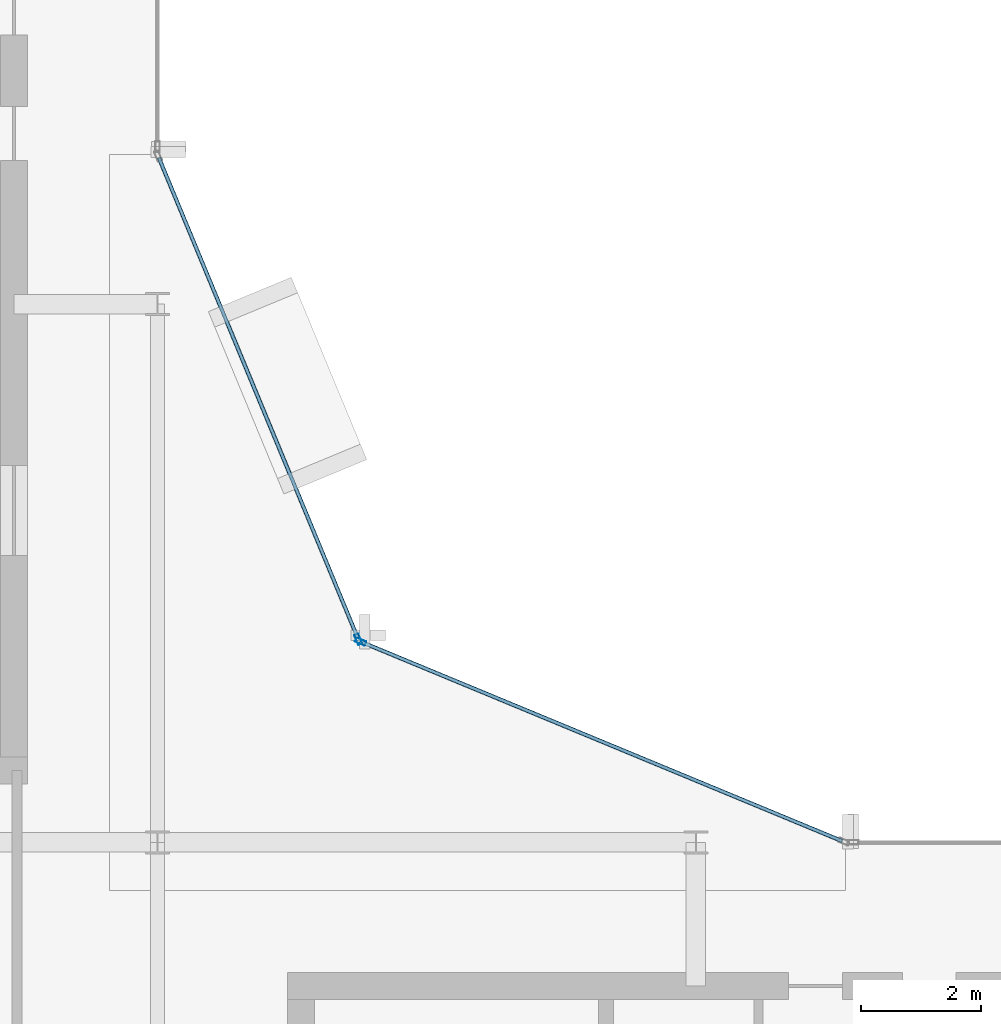
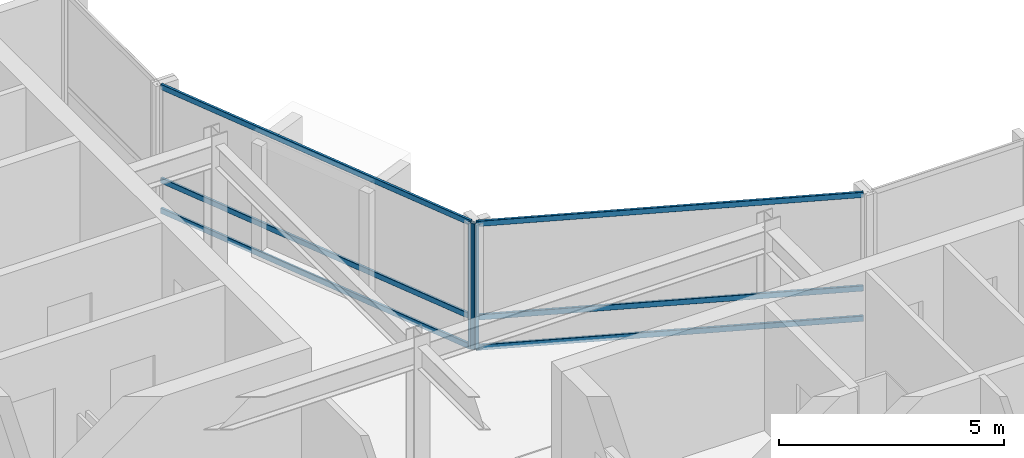
# One storey, part 8 of 19: 8 members, 2 elements without a shape of their own.
"""IFC4 building model written with IfcOpenShell, lengths in metres."""

from ifc_helpers import new_model, si_unit, direction, frame, origin, origin_2d, place, context, subcontext, project, spatial, hollow_rectangle, extrude, material, layer, layer_set, material_profile, profile_set, type_object, element, aggregate, save


model = new_model("IFC4")

# Units and contexts
model_context = context("Model", 3, precision=1e-05, world=origin(), true_north=direction((0.0, 1.0)))
body_context = subcontext(model_context, "Body", "Model", "MODEL_VIEW")
ifc_project = project(units=[si_unit("LENGTHUNIT", "METRE"), si_unit("AREAUNIT", "SQUARE_METRE"), si_unit("VOLUMEUNIT", "CUBIC_METRE"), si_unit("PLANEANGLEUNIT", "RADIAN"), si_unit("MASSUNIT", "GRAM", prefix="KILO")], contexts=[model_context])

# Site, building, storey
site_placement = place(None, origin())
site = spatial("IfcSite", under=ifc_project, at=site_placement, CompositionType="ELEMENT")
building_placement = place(site_placement, origin())
building = spatial("IfcBuilding", under=site, at=building_placement, Name="Solvaryn Broadcast Tower", CompositionType="ELEMENT")
storey_placement = place(building_placement, frame((0.0, 0.0, 248.199951171875)))
storey = spatial("IfcBuildingStorey", under=building, at=storey_placement, Name="L62", CompositionType="ELEMENT", Elevation=248.199951171875)

# Curtain wall, member
ifc_material_1 = material(Name="Aluminium and Terracotta Unitised Curtain Wall", Category="masonry")
ifc_layer = layer(ifc_material_1, 0.199951171875)
ifc_layer_set = layer_set([ifc_layer], Name="CW-SYS2-LOWMID")
curtain_wall_type = type_object("IfcCurtainWallType", Name="CW-SYS2-LOWMID", PredefinedType="NOTDEFINED", material=ifc_layer_set)
curtain_wall_1_placement = place(storey_placement, origin())
curtain_wall_1 = element("IfcCurtainWall", 1, at=curtain_wall_1_placement, inside=storey, type_object=curtain_wall_type, Name="L62 Curtain Wall CN1", PredefinedType="NOTDEFINED")
ifc_material_2 = material(Name="Anodised Aluminium 6063-T6", Category="aluminium")
ifc_material_profile_1 = material_profile(ifc_material_2, hollow_rectangle(XDim=0.074951171875, YDim=0.179931640625, WallThickness=0.00390625, InnerFilletRadius=0.00390625, OuterFilletRadius=0.008056640625, at=origin_2d()))
ifc_profile_set_1 = profile_set([ifc_material_profile_1], Name="Anodised Aluminium 6063-T6")
member_type_1 = type_object("IfcMemberType", Name="CW-MUL-180", PredefinedType="MULLION", material=ifc_profile_set_1)
member_1_placement = place(storey_placement, frame((30.395751953125, 30.3564453125, 0.0), z_axis=(0.0, 0.0, 1.0), x_axis=(-0.382646127145, -0.923894983957, 0.0)))
member_1 = element("IfcMember", 2, at=member_1_placement, type_object=member_type_1, Name="CWS2 mullion 2", PredefinedType="MULLION", context=body_context, shape_type="SweptSolid", body=[
    extrude(hollow_rectangle(XDim=0.074951171875, YDim=0.179931640625, WallThickness=0.00390625, InnerFilletRadius=0.00390625, OuterFilletRadius=0.008056640625, at=origin_2d()), origin(), (0.0, 0.0, 1.0), 3.420166015625),
])

curtain_wall_2_placement = place(storey_placement, origin())
curtain_wall_2 = element("IfcCurtainWall", 3, at=curtain_wall_2_placement, inside=storey, type_object=curtain_wall_type, Name="L62 Curtain Wall CN2", PredefinedType="NOTDEFINED")
member_2_placement = place(storey_placement, frame((30.3564453125, 30.395751953125, 0.0), z_axis=(0.0, 0.0, 1.0), x_axis=(-0.923894983957, -0.382646127145, 0.0)))
member_2 = element("IfcMember", 4, at=member_2_placement, type_object=member_type_1, Name="CWS2 mullion 1", PredefinedType="MULLION", context=body_context, shape_type="SweptSolid", body=[
    extrude(hollow_rectangle(XDim=0.074951171875, YDim=0.179931640625, WallThickness=0.00390625, InnerFilletRadius=0.00390625, OuterFilletRadius=0.008056640625, at=origin_2d()), origin(), (0.0, 0.0, 1.0), 3.420166015625),
])

# Member
ifc_material_3 = material(Name="Anodised Aluminium 6063-T6", Category="aluminium")
ifc_material_profile_2 = material_profile(ifc_material_3, hollow_rectangle(XDim=0.06494140625, YDim=0.14990234375, WallThickness=0.00390625, InnerFilletRadius=0.00390625, OuterFilletRadius=0.008056640625, at=origin_2d()))
ifc_profile_set_2 = profile_set([ifc_material_profile_2], Name="Anodised Aluminium 6063-T6")
member_type_2 = type_object("IfcMemberType", Name="CW-TRN-150", PredefinedType="USERDEFINED", material=ifc_profile_set_2)
member_3_placement = place(storey_placement, frame((38.444580078125, 27.02294921875, 0.030029296875), z_axis=(-0.923899282177, 0.382635748975, 0.0), x_axis=(-0.382635748975, -0.923899282177, 0.0)))
member_3 = element("IfcMember", 5, at=member_3_placement, type_object=member_type_2, Name="CWS2 transom 1.1", ObjectType="TRANSOM", PredefinedType="USERDEFINED", context=body_context, shape_type="SweptSolid", body=[
    extrude(hollow_rectangle(XDim=0.06494140625, YDim=0.14990234375, WallThickness=0.00390625, InnerFilletRadius=0.00390625, OuterFilletRadius=0.008056640625, at=origin_2d()), origin(), (0.0, 0.0, 1.0), 8.681884765625),
])

member_4_placement = place(storey_placement, frame((38.444580078125, 27.02294921875, 0.85009765625), z_axis=(-0.923899282177, 0.382635748975, 0.0), x_axis=(-0.382635748975, -0.923899282177, 0.0)))
member_4 = element("IfcMember", 6, at=member_4_placement, type_object=member_type_2, Name="CWS2 transom 1.2", ObjectType="TRANSOM", PredefinedType="USERDEFINED", context=body_context, shape_type="SweptSolid", body=[
    extrude(hollow_rectangle(XDim=0.06494140625, YDim=0.14990234375, WallThickness=0.00390625, InnerFilletRadius=0.00390625, OuterFilletRadius=0.008056640625, at=origin_2d()), origin(), (0.0, 0.0, 1.0), 8.681884765625),
])

member_5_placement = place(storey_placement, frame((38.444580078125, 27.02294921875, 3.39013671875), z_axis=(-0.923899282177, 0.382635748975, 0.0), x_axis=(-0.382635748975, -0.923899282177, 0.0)))
member_5 = element("IfcMember", 7, at=member_5_placement, type_object=member_type_2, Name="CWS2 transom 1.3", ObjectType="TRANSOM", PredefinedType="USERDEFINED", context=body_context, shape_type="SweptSolid", body=[
    extrude(hollow_rectangle(XDim=0.06494140625, YDim=0.14990234375, WallThickness=0.00390625, InnerFilletRadius=0.00390625, OuterFilletRadius=0.008056640625, at=origin_2d()), origin(), (0.0, 0.0, 1.0), 8.681884765625),
])

aggregate(curtain_wall_1, [member_1, member_3, member_4, member_5])

member_6_placement = place(storey_placement, frame((30.344970703125, 30.42333984375, 0.030029296875), z_axis=(-0.382635748975, 0.923899282177, 0.0), x_axis=(-0.923899282177, -0.382635748975, 0.0)))
member_6 = element("IfcMember", 8, at=member_6_placement, type_object=member_type_2, Name="CWS2 transom 1.1", ObjectType="TRANSOM", PredefinedType="USERDEFINED", context=body_context, shape_type="SweptSolid", body=[
    extrude(hollow_rectangle(XDim=0.06494140625, YDim=0.14990234375, WallThickness=0.00390625, InnerFilletRadius=0.00390625, OuterFilletRadius=0.008056640625, at=origin_2d()), origin(), (0.0, 0.0, 1.0), 8.681884765625),
])

member_7_placement = place(storey_placement, frame((30.344970703125, 30.42333984375, 0.85009765625), z_axis=(-0.382635748975, 0.923899282177, 0.0), x_axis=(-0.923899282177, -0.382635748975, 0.0)))
member_7 = element("IfcMember", 9, at=member_7_placement, type_object=member_type_2, Name="CWS2 transom 1.2", ObjectType="TRANSOM", PredefinedType="USERDEFINED", context=body_context, shape_type="SweptSolid", body=[
    extrude(hollow_rectangle(XDim=0.06494140625, YDim=0.14990234375, WallThickness=0.00390625, InnerFilletRadius=0.00390625, OuterFilletRadius=0.008056640625, at=origin_2d()), origin(), (0.0, 0.0, 1.0), 8.681884765625),
])

member_8_placement = place(storey_placement, frame((30.344970703125, 30.42333984375, 3.39013671875), z_axis=(-0.382635748975, 0.923899282177, 0.0), x_axis=(-0.923899282177, -0.382635748975, 0.0)))
member_8 = element("IfcMember", 10, at=member_8_placement, type_object=member_type_2, Name="CWS2 transom 1.3", ObjectType="TRANSOM", PredefinedType="USERDEFINED", context=body_context, shape_type="SweptSolid", body=[
    extrude(hollow_rectangle(XDim=0.06494140625, YDim=0.14990234375, WallThickness=0.00390625, InnerFilletRadius=0.00390625, OuterFilletRadius=0.008056640625, at=origin_2d()), origin(), (0.0, 0.0, 1.0), 8.681884765625),
])

aggregate(curtain_wall_2, [member_2, member_6, member_7, member_8])

save(model, "model.ifc")
